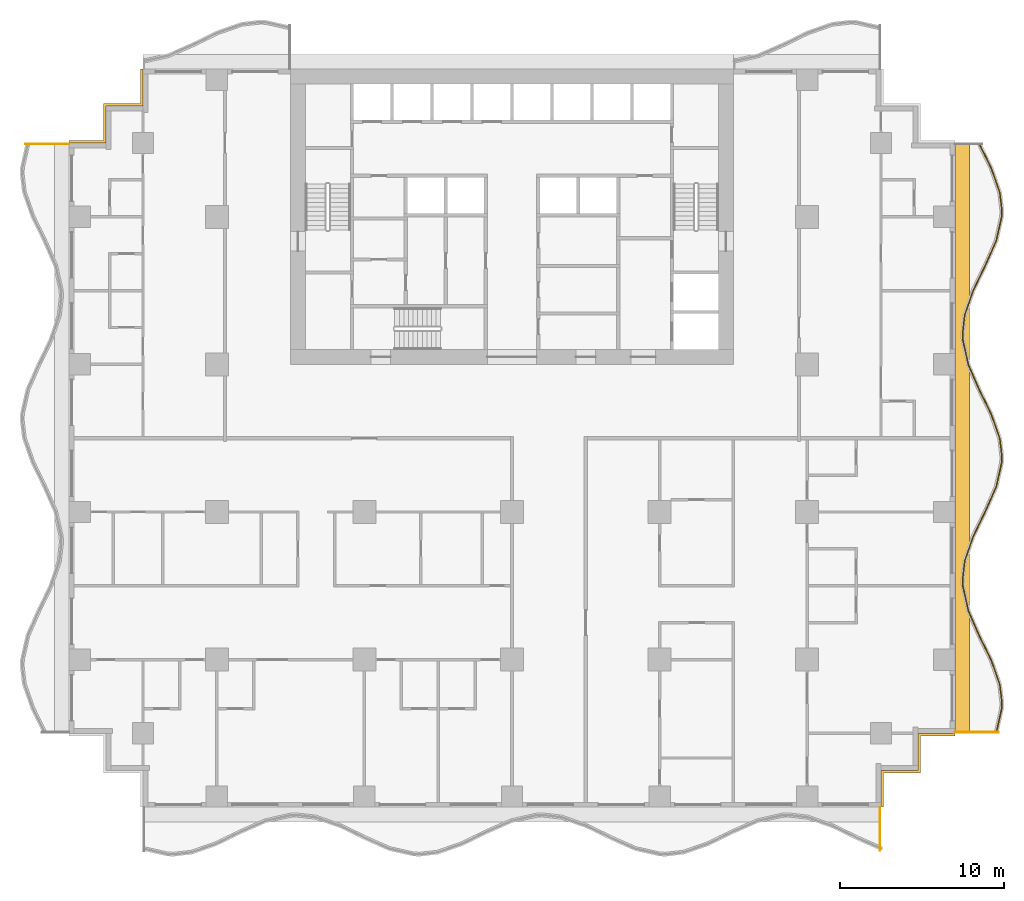
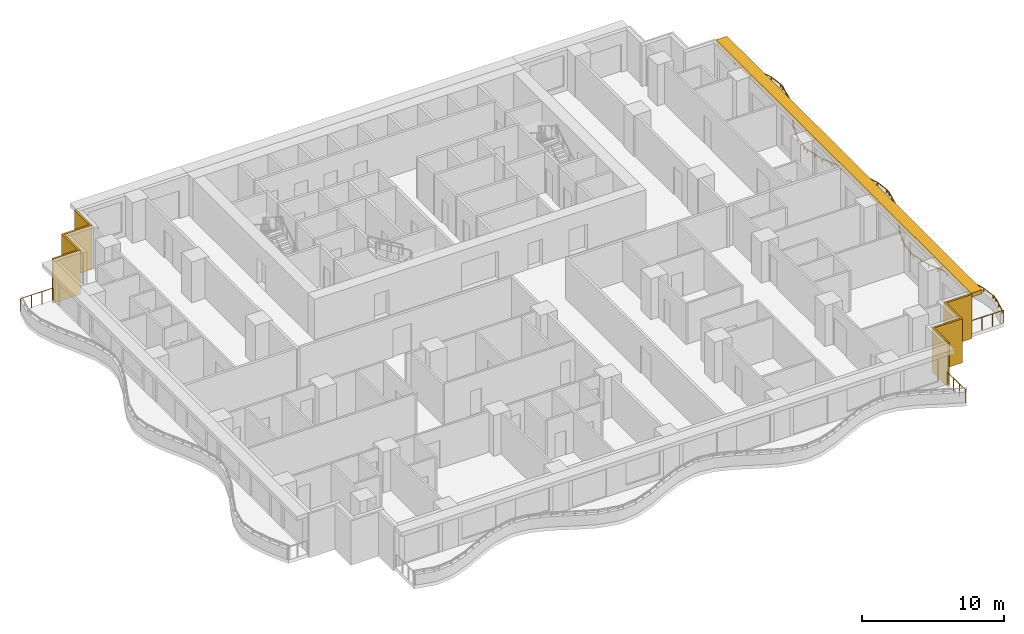
# One storey, part 11 of 14: 4 railings, 3 shading devices.
"""IFC4 building model written with IfcOpenShell, lengths in metres."""

from ifc_helpers import new_model, si_unit, direction, frame, origin, origin_2d, place, context, subcontext, project, spatial, polyline, rectangle, outline, extrude, material, layer, layer_set, type_object, element, save


model = new_model("IFC4")

# Units and contexts
model_context = context("Model", 3, precision=1e-05, world=origin(), true_north=direction((0.0, 1.0)))
body_context = subcontext(model_context, "Body", "Model", "MODEL_VIEW")
ifc_project = project(units=[si_unit("LENGTHUNIT", "METRE"), si_unit("AREAUNIT", "SQUARE_METRE"), si_unit("VOLUMEUNIT", "CUBIC_METRE"), si_unit("PLANEANGLEUNIT", "RADIAN"), si_unit("MASSUNIT", "GRAM", prefix="KILO")], contexts=[model_context])

# Site, building, storey
site_placement = place(None, origin())
site = spatial("IfcSite", under=ifc_project, at=site_placement, CompositionType="ELEMENT")
building_placement = place(site_placement, origin())
building = spatial("IfcBuilding", under=site, at=building_placement, Name="Orbiselva Terraces", CompositionType="ELEMENT")
storey_placement = place(building_placement, frame((0.0, 0.0, 80.8)))
storey = spatial("IfcBuildingStorey", under=building, at=storey_placement, Name="L20", CompositionType="ELEMENT", Elevation=80.8)

# Railings
ifc_material_1 = material(Name="Bonded two-ply safety glass balustrade, stainless steel posts", Category="steel")
railing_type_1 = type_object("IfcRailingType", Name="ENV-BALUSTRADE-1200", PredefinedType="BALUSTRADE", material=ifc_material_1)
railing_1_placement = place(storey_placement, frame((29.526563, -17.972623, 0.9)))
element("IfcRailing", 1, at=railing_1_placement, inside=storey, type_object=railing_type_1, Name="Balcony balustrade L20 E", PredefinedType="BALUSTRADE", context=body_context, shape_type="SweptSolid", body=[
    extrude(outline(polyline([(0.028868, 0.0), (0.014434, 0.025), (-0.014434, 0.025), (-0.028868, 0.0), (-0.014434, -0.025), (0.014434, -0.025), (0.028868, 0.0)])), frame((0.0, 0.0, 0.275), z_axis=(0.21901575501, 0.975721322437, 0.0), x_axis=(-0.975721322437, 0.21901575501, 0.0)), (0.0, 0.0, 1.0), 1.525954),
    extrude(outline(polyline([(0.028868, 0.0), (0.014434, 0.025), (-0.014434, 0.025), (-0.028868, 0.0), (-0.014434, -0.025), (0.014434, -0.025), (0.028868, 0.0)])), frame((0.334208, 1.488906, 0.275), z_axis=(0.039364150694, 0.999224931454, 0.0), x_axis=(-0.999224931454, 0.039364150694, 0.0)), (0.0, 0.0, 1.0), 0.354206),
    extrude(outline(polyline([(0.028868, 0.0), (0.014434, 0.025), (-0.014434, 0.025), (-0.028868, 0.0), (-0.014434, -0.025), (0.014434, -0.025), (0.028868, 0.0)])), frame((0.348151, 1.842837, 0.275), z_axis=(-0.115481264762, 0.993309658409, 0.0), x_axis=(-0.993309658409, -0.115481264762, 0.0)), (0.0, 0.0, 1.0), 1.10902),
    extrude(outline(polyline([(0.028868, 0.0), (0.014434, 0.025), (-0.014434, 0.025), (-0.028868, 0.0), (-0.014434, -0.025), (0.014434, -0.025), (0.028868, 0.0)])), frame((0.22008, 2.944437, 0.275), z_axis=(-0.330024754707, 0.943972277814, 0.0), x_axis=(-0.943972277814, -0.330024754707, 0.0)), (0.0, 0.0, 1.0), 1.567807),
    extrude(outline(polyline([(0.028868, 0.0), (0.014434, 0.025), (-0.014434, 0.025), (-0.028868, 0.0), (-0.014434, -0.025), (0.014434, -0.025), (0.028868, 0.0)])), frame((-0.297335, 4.424403, 0.275), z_axis=(-0.438811978768, 0.89857890432, 0.0), x_axis=(-0.89857890432, -0.438811978768, 0.0)), (0.0, 0.0, 1.0), 1.66438),
    extrude(outline(polyline([(0.028868, 0.0), (0.014434, 0.025), (-0.014434, 0.025), (-0.028868, 0.0), (-0.014434, -0.025), (0.014434, -0.025), (0.028868, 0.0)])), frame((-1.027685, 5.91998, 0.275), z_axis=(-0.403150874148, 0.915133527237, 0.0), x_axis=(-0.915133527237, -0.403150874148, 0.0)), (0.0, 0.0, 1.0), 1.653736),
    extrude(outline(polyline([(0.028868, 0.0), (0.014434, 0.025), (-0.014434, 0.025), (-0.028868, 0.0), (-0.014434, -0.025), (0.014434, -0.025), (0.028868, 0.0)])), frame((-1.69439, 7.433369, 0.275), z_axis=(-0.219015500924, 0.97572137947, 0.0), x_axis=(-0.97572137947, -0.219015500924, 0.0)), (0.0, 0.0, 1.0), 1.560867),
    extrude(outline(polyline([(0.028868, 0.0), (0.014434, 0.025), (-0.014434, 0.025), (-0.028868, 0.0), (-0.014434, -0.025), (0.014434, -0.025), (0.028868, 0.0)])), frame((-2.036244, 8.95634, 0.275), z_axis=(-0.03936915532, 0.999224734286, 0.0), x_axis=(-0.999224734286, -0.03936915532, 0.0)), (0.0, 0.0, 1.0), 0.396376),
    extrude(outline(polyline([(0.028868, 0.0), (0.014434, 0.025), (-0.014434, 0.025), (-0.028868, 0.0), (-0.014434, -0.025), (0.014434, -0.025), (0.028868, 0.0)])), frame((-2.051849, 9.352409, 0.275), z_axis=(0.115482182324, 0.993309551734, 0.0), x_axis=(-0.993309551734, 0.115482182324, 0.0)), (0.0, 0.0, 1.0), 1.156135),
    extrude(outline(polyline([(0.028868, 0.0), (0.014434, 0.025), (-0.014434, 0.025), (-0.028868, 0.0), (-0.014434, -0.025), (0.014434, -0.025), (0.028868, 0.0)])), frame((-1.918336, 10.500809, 0.275), z_axis=(0.330024597479, 0.943972332783, 0.0), x_axis=(-0.943972332783, 0.330024597479, 0.0)), (0.0, 0.0, 1.0), 1.610253),
    extrude(outline(polyline([(0.028868, 0.0), (0.014434, 0.025), (-0.014434, 0.025), (-0.028868, 0.0), (-0.014434, -0.025), (0.014434, -0.025), (0.028868, 0.0)])), frame((-1.386913, 12.020843, 0.275), z_axis=(0.438812048596, 0.898578870221, 0.0), x_axis=(-0.898578870221, 0.438812048596, 0.0)), (0.0, 0.0, 1.0), 1.674225),
    extrude(outline(polyline([(0.028868, 0.0), (0.014434, 0.025), (-0.014434, 0.025), (-0.028868, 0.0), (-0.014434, -0.025), (0.014434, -0.025), (0.028868, 0.0)])), frame((-0.652243, 13.525266, 0.275), z_axis=(0.403151245402, 0.915133363686, 0.0), x_axis=(-0.915133363686, 0.403151245402, 0.0)), (0.0, 0.0, 1.0), 1.624475),
    extrude(outline(polyline([(0.028868, 0.0), (0.014434, 0.025), (-0.014434, 0.025), (-0.028868, 0.0), (-0.014434, -0.025), (0.014434, -0.025), (0.028868, 0.0)])), frame((0.002666, 15.011877, 0.275), z_axis=(0.219015740235, 0.975721325753, 0.0), x_axis=(-0.975721325753, 0.219015740235, 0.0)), (0.0, 0.0, 1.0), 1.513782),
    extrude(outline(polyline([(0.028868, 0.0), (0.014434, 0.025), (-0.014434, 0.025), (-0.028868, 0.0), (-0.014434, -0.025), (0.014434, -0.025), (0.028868, 0.0)])), frame((0.334208, 16.488906, 0.275), z_axis=(0.039364150694, 0.999224931454, 0.0), x_axis=(-0.999224931454, 0.039364150694, 0.0)), (0.0, 0.0, 1.0), 0.354206),
    extrude(outline(polyline([(0.028868, 0.0), (0.014434, 0.025), (-0.014434, 0.025), (-0.028868, 0.0), (-0.014434, -0.025), (0.014434, -0.025), (0.028868, 0.0)])), frame((0.348151, 16.842837, 0.275), z_axis=(-0.115481264762, 0.993309658409, 0.0), x_axis=(-0.993309658409, -0.115481264762, 0.0)), (0.0, 0.0, 1.0), 1.10902),
    extrude(outline(polyline([(0.028868, 0.0), (0.014434, 0.025), (-0.014434, 0.025), (-0.028868, 0.0), (-0.014434, -0.025), (0.014434, -0.025), (0.028868, 0.0)])), frame((0.22008, 17.944437, 0.275), z_axis=(-0.330024754707, 0.943972277814, 0.0), x_axis=(-0.943972277814, -0.330024754707, 0.0)), (0.0, 0.0, 1.0), 1.567807),
    extrude(outline(polyline([(0.028868, 0.0), (0.014434, 0.025), (-0.014434, 0.025), (-0.028868, 0.0), (-0.014434, -0.025), (0.014434, -0.025), (0.028868, 0.0)])), frame((-0.297335, 19.424403, 0.275), z_axis=(-0.438811978768, 0.89857890432, 0.0), x_axis=(-0.89857890432, -0.438811978768, 0.0)), (0.0, 0.0, 1.0), 1.66438),
    extrude(outline(polyline([(0.028868, 0.0), (0.014434, 0.025), (-0.014434, 0.025), (-0.028868, 0.0), (-0.014434, -0.025), (0.014434, -0.025), (0.028868, 0.0)])), frame((-1.027685, 20.91998, 0.275), z_axis=(-0.403150874148, 0.915133527237, 0.0), x_axis=(-0.915133527237, -0.403150874148, 0.0)), (0.0, 0.0, 1.0), 1.653736),
    extrude(outline(polyline([(0.028868, 0.0), (0.014434, 0.025), (-0.014434, 0.025), (-0.028868, 0.0), (-0.014434, -0.025), (0.014434, -0.025), (0.028868, 0.0)])), frame((-1.69439, 22.433369, 0.275), z_axis=(-0.219015500924, 0.97572137947, 0.0), x_axis=(-0.97572137947, -0.219015500924, 0.0)), (0.0, 0.0, 1.0), 1.560867),
    extrude(outline(polyline([(0.028868, 0.0), (0.014434, 0.025), (-0.014434, 0.025), (-0.028868, 0.0), (-0.014434, -0.025), (0.014434, -0.025), (0.028868, 0.0)])), frame((-2.036244, 23.95634, 0.275), z_axis=(-0.03936915532, 0.999224734286, 0.0), x_axis=(-0.999224734286, -0.03936915532, 0.0)), (0.0, 0.0, 1.0), 0.396376),
    extrude(outline(polyline([(0.028868, 0.0), (0.014434, 0.025), (-0.014434, 0.025), (-0.028868, 0.0), (-0.014434, -0.025), (0.014434, -0.025), (0.028868, 0.0)])), frame((-2.051849, 24.352409, 0.275), z_axis=(0.115482182324, 0.993309551734, 0.0), x_axis=(-0.993309551734, 0.115482182324, 0.0)), (0.0, 0.0, 1.0), 1.156135),
    extrude(outline(polyline([(0.028868, 0.0), (0.014434, 0.025), (-0.014434, 0.025), (-0.028868, 0.0), (-0.014434, -0.025), (0.014434, -0.025), (0.028868, 0.0)])), frame((-1.918336, 25.500809, 0.275), z_axis=(0.330024597479, 0.943972332783, 0.0), x_axis=(-0.943972332783, 0.330024597479, 0.0)), (0.0, 0.0, 1.0), 1.610253),
    extrude(outline(polyline([(0.028868, 0.0), (0.014434, 0.025), (-0.014434, 0.025), (-0.028868, 0.0), (-0.014434, -0.025), (0.014434, -0.025), (0.028868, 0.0)])), frame((-1.386913, 27.020843, 0.275), z_axis=(0.438812048596, 0.898578870221, 0.0), x_axis=(-0.898578870221, 0.438812048596, 0.0)), (0.0, 0.0, 1.0), 1.674225),
    extrude(outline(polyline([(0.028868, 0.0), (0.014434, 0.025), (-0.014434, 0.025), (-0.028868, 0.0), (-0.014434, -0.025), (0.014434, -0.025), (0.028868, 0.0)])), frame((-0.652243, 28.525266, 0.275), z_axis=(0.403151245402, 0.915133363686, 0.0), x_axis=(-0.915133363686, 0.403151245402, 0.0)), (0.0, 0.0, 1.0), 1.624475),
    extrude(outline(polyline([(0.028868, 0.0), (0.014434, 0.025), (-0.014434, 0.025), (-0.028868, 0.0), (-0.014434, -0.025), (0.014434, -0.025), (0.028868, 0.0)])), frame((0.002666, 30.011877, 0.275), z_axis=(0.219015740235, 0.975721325753, 0.0), x_axis=(-0.975721325753, 0.219015740235, 0.0)), (0.0, 0.0, 1.0), 1.513782),
    extrude(outline(polyline([(0.028868, 0.0), (0.014434, 0.025), (-0.014434, 0.025), (-0.028868, 0.0), (-0.014434, -0.025), (0.014434, -0.025), (0.028868, 0.0)])), frame((0.334208, 31.488906, 0.275), z_axis=(0.039364150694, 0.999224931454, 0.0), x_axis=(-0.999224931454, 0.039364150694, 0.0)), (0.0, 0.0, 1.0), 0.354206),
    extrude(outline(polyline([(0.028868, 0.0), (0.014434, 0.025), (-0.014434, 0.025), (-0.028868, 0.0), (-0.014434, -0.025), (0.014434, -0.025), (0.028868, 0.0)])), frame((0.348151, 31.842837, 0.275), z_axis=(-0.115481264762, 0.993309658409, 0.0), x_axis=(-0.993309658409, -0.115481264762, 0.0)), (0.0, 0.0, 1.0), 1.10902),
    extrude(outline(polyline([(0.028868, 0.0), (0.014434, 0.025), (-0.014434, 0.025), (-0.028868, 0.0), (-0.014434, -0.025), (0.014434, -0.025), (0.028868, 0.0)])), frame((0.22008, 32.944437, 0.275), z_axis=(-0.330024754707, 0.943972277814, 0.0), x_axis=(-0.943972277814, -0.330024754707, 0.0)), (0.0, 0.0, 1.0), 1.567807),
    extrude(outline(polyline([(0.028868, 0.0), (0.014434, 0.025), (-0.014434, 0.025), (-0.028868, 0.0), (-0.014434, -0.025), (0.014434, -0.025), (0.028868, 0.0)])), frame((-0.297335, 34.424403, 0.275), z_axis=(-0.438811853882, 0.898578965307, 0.0), x_axis=(-0.898578965307, -0.438811853882, 0.0)), (0.0, 0.0, 1.0), 1.661922),
    extrude(rectangle(XDim=0.05, YDim=0.05, at=origin_2d()), origin(), (0.0, 0.0, 1.0), 0.25),
    extrude(rectangle(XDim=0.05, YDim=0.05, at=origin_2d()), frame((0.167104, 0.744453, 0.0)), (0.0, 0.0, 1.0), 0.25),
    extrude(rectangle(XDim=0.05, YDim=0.05, at=origin_2d()), frame((0.334208, 1.488906, 0.0)), (0.0, 0.0, 1.0), 0.25),
    extrude(rectangle(XDim=0.05, YDim=0.05, at=origin_2d()), frame((0.348151, 1.842837, 0.0)), (0.0, 0.0, 1.0), 0.25),
    extrude(rectangle(XDim=0.05, YDim=0.05, at=origin_2d()), frame((0.22008, 2.944437, 0.0)), (0.0, 0.0, 1.0), 0.25),
    extrude(rectangle(XDim=0.05, YDim=0.05, at=origin_2d()), frame((-0.038628, 3.68442, 0.0)), (0.0, 0.0, 1.0), 0.25),
    extrude(rectangle(XDim=0.05, YDim=0.05, at=origin_2d()), frame((-0.297335, 4.424403, 0.0)), (0.0, 0.0, 1.0), 0.25),
    extrude(rectangle(XDim=0.05, YDim=0.05, at=origin_2d()), frame((-0.66251, 5.172191, 0.0)), (0.0, 0.0, 1.0), 0.25),
    extrude(rectangle(XDim=0.05, YDim=0.05, at=origin_2d()), frame((-1.027685, 5.91998, 0.0)), (0.0, 0.0, 1.0), 0.25),
    extrude(rectangle(XDim=0.05, YDim=0.05, at=origin_2d()), frame((-1.361037, 6.676674, 0.0)), (0.0, 0.0, 1.0), 0.25),
    extrude(rectangle(XDim=0.05, YDim=0.05, at=origin_2d()), frame((-1.69439, 7.433369, 0.0)), (0.0, 0.0, 1.0), 0.25),
    extrude(rectangle(XDim=0.05, YDim=0.05, at=origin_2d()), frame((-1.865317, 8.194854, 0.0)), (0.0, 0.0, 1.0), 0.25),
    extrude(rectangle(XDim=0.05, YDim=0.05, at=origin_2d()), frame((-2.036244, 8.95634, 0.0)), (0.0, 0.0, 1.0), 0.25),
    extrude(rectangle(XDim=0.05, YDim=0.05, at=origin_2d()), frame((-2.051849, 9.352409, 0.0)), (0.0, 0.0, 1.0), 0.25),
    extrude(rectangle(XDim=0.05, YDim=0.05, at=origin_2d()), frame((-1.918336, 10.500809, 0.0)), (0.0, 0.0, 1.0), 0.25),
    extrude(rectangle(XDim=0.05, YDim=0.05, at=origin_2d()), frame((-1.652624, 11.260826, 0.0)), (0.0, 0.0, 1.0), 0.25),
    extrude(rectangle(XDim=0.05, YDim=0.05, at=origin_2d()), frame((-1.386913, 12.020843, 0.0)), (0.0, 0.0, 1.0), 0.25),
    extrude(rectangle(XDim=0.05, YDim=0.05, at=origin_2d()), frame((-1.019578, 12.773054, 0.0)), (0.0, 0.0, 1.0), 0.25),
    extrude(rectangle(XDim=0.05, YDim=0.05, at=origin_2d()), frame((-0.652243, 13.525266, 0.0)), (0.0, 0.0, 1.0), 0.25),
    extrude(rectangle(XDim=0.05, YDim=0.05, at=origin_2d()), frame((-0.324788, 14.268571, 0.0)), (0.0, 0.0, 1.0), 0.25),
    extrude(rectangle(XDim=0.05, YDim=0.05, at=origin_2d()), frame((0.002666, 15.011877, 0.0)), (0.0, 0.0, 1.0), 0.25),
    extrude(rectangle(XDim=0.05, YDim=0.05, at=origin_2d()), frame((0.168437, 15.750392, 0.0)), (0.0, 0.0, 1.0), 0.25),
    extrude(rectangle(XDim=0.05, YDim=0.05, at=origin_2d()), frame((0.334208, 16.488906, 0.0)), (0.0, 0.0, 1.0), 0.25),
    extrude(rectangle(XDim=0.05, YDim=0.05, at=origin_2d()), frame((0.348151, 16.842837, 0.0)), (0.0, 0.0, 1.0), 0.25),
    extrude(rectangle(XDim=0.05, YDim=0.05, at=origin_2d()), frame((0.22008, 17.944437, 0.0)), (0.0, 0.0, 1.0), 0.25),
    extrude(rectangle(XDim=0.05, YDim=0.05, at=origin_2d()), frame((-0.038628, 18.68442, 0.0)), (0.0, 0.0, 1.0), 0.25),
    extrude(rectangle(XDim=0.05, YDim=0.05, at=origin_2d()), frame((-0.297335, 19.424403, 0.0)), (0.0, 0.0, 1.0), 0.25),
    extrude(rectangle(XDim=0.05, YDim=0.05, at=origin_2d()), frame((-0.66251, 20.172191, 0.0)), (0.0, 0.0, 1.0), 0.25),
    extrude(rectangle(XDim=0.05, YDim=0.05, at=origin_2d()), frame((-1.027685, 20.91998, 0.0)), (0.0, 0.0, 1.0), 0.25),
    extrude(rectangle(XDim=0.05, YDim=0.05, at=origin_2d()), frame((-1.361037, 21.676674, 0.0)), (0.0, 0.0, 1.0), 0.25),
    extrude(rectangle(XDim=0.05, YDim=0.05, at=origin_2d()), frame((-1.69439, 22.433369, 0.0)), (0.0, 0.0, 1.0), 0.25),
    extrude(rectangle(XDim=0.05, YDim=0.05, at=origin_2d()), frame((-1.865317, 23.194854, 0.0)), (0.0, 0.0, 1.0), 0.25),
    extrude(rectangle(XDim=0.05, YDim=0.05, at=origin_2d()), frame((-2.036244, 23.95634, 0.0)), (0.0, 0.0, 1.0), 0.25),
    extrude(rectangle(XDim=0.05, YDim=0.05, at=origin_2d()), frame((-2.051849, 24.352409, 0.0)), (0.0, 0.0, 1.0), 0.25),
    extrude(rectangle(XDim=0.05, YDim=0.05, at=origin_2d()), frame((-1.918336, 25.500809, 0.0)), (0.0, 0.0, 1.0), 0.25),
    extrude(rectangle(XDim=0.05, YDim=0.05, at=origin_2d()), frame((-1.652624, 26.260826, 0.0)), (0.0, 0.0, 1.0), 0.25),
    extrude(rectangle(XDim=0.05, YDim=0.05, at=origin_2d()), frame((-1.386913, 27.020843, 0.0)), (0.0, 0.0, 1.0), 0.25),
    extrude(rectangle(XDim=0.05, YDim=0.05, at=origin_2d()), frame((-1.019578, 27.773054, 0.0)), (0.0, 0.0, 1.0), 0.25),
    extrude(rectangle(XDim=0.05, YDim=0.05, at=origin_2d()), frame((-0.652243, 28.525266, 0.0)), (0.0, 0.0, 1.0), 0.25),
    extrude(rectangle(XDim=0.05, YDim=0.05, at=origin_2d()), frame((-0.324788, 29.268572, 0.0)), (0.0, 0.0, 1.0), 0.25),
    extrude(rectangle(XDim=0.05, YDim=0.05, at=origin_2d()), frame((0.002666, 30.011877, 0.0)), (0.0, 0.0, 1.0), 0.25),
    extrude(rectangle(XDim=0.05, YDim=0.05, at=origin_2d()), frame((0.168437, 30.750392, 0.0)), (0.0, 0.0, 1.0), 0.25),
    extrude(rectangle(XDim=0.05, YDim=0.05, at=origin_2d()), frame((0.334208, 31.488906, 0.0)), (0.0, 0.0, 1.0), 0.25),
    extrude(rectangle(XDim=0.05, YDim=0.05, at=origin_2d()), frame((0.348151, 31.842837, 0.0)), (0.0, 0.0, 1.0), 0.25),
    extrude(rectangle(XDim=0.05, YDim=0.05, at=origin_2d()), frame((0.22008, 32.944437, 0.0)), (0.0, 0.0, 1.0), 0.25),
    extrude(rectangle(XDim=0.05, YDim=0.05, at=origin_2d()), frame((-0.038628, 33.68442, 0.0)), (0.0, 0.0, 1.0), 0.25),
    extrude(rectangle(XDim=0.05, YDim=0.05, at=origin_2d()), frame((-0.297335, 34.424403, 0.0)), (0.0, 0.0, 1.0), 0.25),
    extrude(rectangle(XDim=0.05, YDim=0.05, at=origin_2d()), frame((-0.661971, 35.171087, 0.0)), (0.0, 0.0, 1.0), 0.25),
    extrude(rectangle(XDim=0.05, YDim=0.05, at=origin_2d()), frame((-1.026606, 35.917771, 0.0)), (0.0, 0.0, 1.0), 0.25),
])
ifc_material_2 = material(Name="Stainless steel rail and posts", Category="steel")
railing_type_2 = type_object("IfcRailingType", Name="ENV-GUARD-1105", PredefinedType="BALUSTRADE", material=ifc_material_2)
railing_2_placement = place(storey_placement, frame((22.44, -25.126937, 0.0)))
element("IfcRailing", 2, at=railing_2_placement, inside=storey, type_object=railing_type_2, Name="Balcony end guard L20 S", PredefinedType="BALUSTRADE", context=body_context, shape_type="SweptSolid", body=[
    extrude(outline(polyline([(0.028868, 0.0), (0.014434, 0.025), (-0.014434, 0.025), (-0.028868, 0.0), (-0.014434, -0.025), (0.014434, -0.025), (0.028868, 0.0)])), frame((0.0, 0.0, 1.08), z_axis=(0.0, 1.0, 0.0), x_axis=(-1.0, 0.0, 0.0)), (0.0, 0.0, 1.0), 2.601937),
    extrude(rectangle(XDim=0.05, YDim=0.05, at=origin_2d()), origin(), (0.0, 0.0, 1.0), 1.055),
    extrude(rectangle(XDim=0.05, YDim=0.05, at=origin_2d()), frame((0.0, 0.867312, 0.0)), (0.0, 0.0, 1.0), 1.055),
    extrude(rectangle(XDim=0.05, YDim=0.05, at=origin_2d()), frame((0.0, 1.734625, 0.0)), (0.0, 0.0, 1.0), 1.055),
    extrude(rectangle(XDim=0.05, YDim=0.05, at=origin_2d()), frame((0.0, 2.601937, 0.0)), (0.0, 0.0, 1.0), 1.055),
])
railing_3_placement = place(storey_placement, frame((29.669584, -17.94, 0.0)))
element("IfcRailing", 3, at=railing_3_placement, inside=storey, type_object=railing_type_2, Name="Balcony end guard L20 E", PredefinedType="BALUSTRADE", context=body_context, shape_type="SweptSolid", body=[
    extrude(outline(polyline([(0.028868, 0.0), (0.014434, 0.025), (-0.014434, 0.025), (-0.028868, 0.0), (-0.014434, -0.025), (0.014434, -0.025), (0.028868, 0.0)])), frame((0.0, 0.0, 1.08), z_axis=(-1.0, 0.0, 0.0), x_axis=(0.0, -1.0, 0.0)), (0.0, 0.0, 1.0), 2.644584),
    extrude(rectangle(XDim=0.05, YDim=0.05, at=origin_2d()), origin(), (0.0, 0.0, 1.0), 1.055),
    extrude(rectangle(XDim=0.05, YDim=0.05, at=origin_2d()), frame((-0.881528, 0.0, 0.0)), (0.0, 0.0, 1.0), 1.055),
    extrude(rectangle(XDim=0.05, YDim=0.05, at=origin_2d()), frame((-1.763056, 0.0, 0.0)), (0.0, 0.0, 1.0), 1.055),
    extrude(rectangle(XDim=0.05, YDim=0.05, at=origin_2d()), frame((-2.644584, 0.0, 0.0)), (0.0, 0.0, 1.0), 1.055),
])
railing_4_placement = place(storey_placement, frame((-29.669584, 17.94, 0.0)))
element("IfcRailing", 4, at=railing_4_placement, inside=storey, type_object=railing_type_2, Name="Balcony end guard L20 W", PredefinedType="BALUSTRADE", context=body_context, shape_type="SweptSolid", body=[
    extrude(outline(polyline([(0.028868, 0.0), (0.014434, 0.025), (-0.014434, 0.025), (-0.028868, 0.0), (-0.014434, -0.025), (0.014434, -0.025), (0.028868, 0.0)])), frame((0.0, 0.0, 1.08), z_axis=(1.0, 0.0, 0.0), x_axis=(0.0, 1.0, 0.0)), (0.0, 0.0, 1.0), 2.644584),
    extrude(rectangle(XDim=0.05, YDim=0.05, at=origin_2d()), origin(), (0.0, 0.0, 1.0), 1.055),
    extrude(rectangle(XDim=0.05, YDim=0.05, at=origin_2d()), frame((0.881528, 0.0, 0.0)), (0.0, 0.0, 1.0), 1.055),
    extrude(rectangle(XDim=0.05, YDim=0.05, at=origin_2d()), frame((1.763056, 0.0, 0.0)), (0.0, 0.0, 1.0), 1.055),
    extrude(rectangle(XDim=0.05, YDim=0.05, at=origin_2d()), frame((2.644584, 0.0, 0.0)), (0.0, 0.0, 1.0), 1.055),
])

# Shading devices
ifc_material_3 = material(Name="Terracotta louvre screen", Category="masonry")
ifc_layer_1 = layer(ifc_material_3, 0.15)
ifc_layer_set_1 = layer_set([ifc_layer_1], Name="Terracotta louvre screen")
shading_device_type_1 = type_object("IfcShadingDeviceType", Name="ENV-SCREEN-150", PredefinedType="USERDEFINED", material=ifc_layer_set_1)
shading_device_1_placement = place(storey_placement, frame((0.0, 0.0, -0.3)))
element("IfcShadingDevice", 5, at=shading_device_1_placement, inside=storey, type_object=shading_device_type_1, Name="Louvre screen L20 NW", ObjectType="SCREEN", PredefinedType="USERDEFINED", context=body_context, shape_type="SweptSolid", body=[
    extrude(outline(polyline([(-22.65, 22.5), (-22.65, 20.4), (-24.9, 20.4), (-24.9, 18.15), (-27.0, 18.15), (-27.0, 18.0), (-24.75, 18.0), (-24.75, 20.25), (-22.5, 20.25), (-22.5, 22.5), (-22.65, 22.5)])), origin(), (0.0, 0.0, 1.0), 3.8),
])
shading_device_2_placement = place(storey_placement, frame((0.0, 0.0, -0.3)))
element("IfcShadingDevice", 6, at=shading_device_2_placement, inside=storey, type_object=shading_device_type_1, Name="Louvre screen L20 SE", ObjectType="SCREEN", PredefinedType="USERDEFINED", context=body_context, shape_type="SweptSolid", body=[
    extrude(outline(polyline([(22.65, -22.5), (22.65, -20.4), (24.9, -20.4), (24.9, -18.15), (27.0, -18.15), (27.0, -18.0), (24.75, -18.0), (24.75, -20.25), (22.5, -20.25), (22.5, -22.5), (22.65, -22.5)])), origin(), (0.0, 0.0, 1.0), 3.8),
])
ifc_material_4 = material(Name="Terracotta baguette sunshade", Category="masonry")
ifc_layer_2 = layer(ifc_material_4, 0.35)
ifc_layer_set_2 = layer_set([ifc_layer_2], Name="Terracotta baguette sunshade")
shading_device_type_2 = type_object("IfcShadingDeviceType", Name="ENV-SUNSHADE-900x350", PredefinedType="USERDEFINED", material=ifc_layer_set_2)
shading_device_3_placement = place(storey_placement, frame((0.0, 0.0, 3.15)))
element("IfcShadingDevice", 7, at=shading_device_3_placement, inside=storey, type_object=shading_device_type_2, Name="Sunshade band L20 E", ObjectType="SUNSHADE", PredefinedType="USERDEFINED", context=body_context, shape_type="SweptSolid", body=[
    extrude(outline(polyline([(27.9, -18.0), (27.9, 18.0), (27.0, 18.0), (27.0, -18.0), (27.9, -18.0)])), origin(), (0.0, 0.0, 1.0), 0.35),
])

save(model, "model.ifc")
